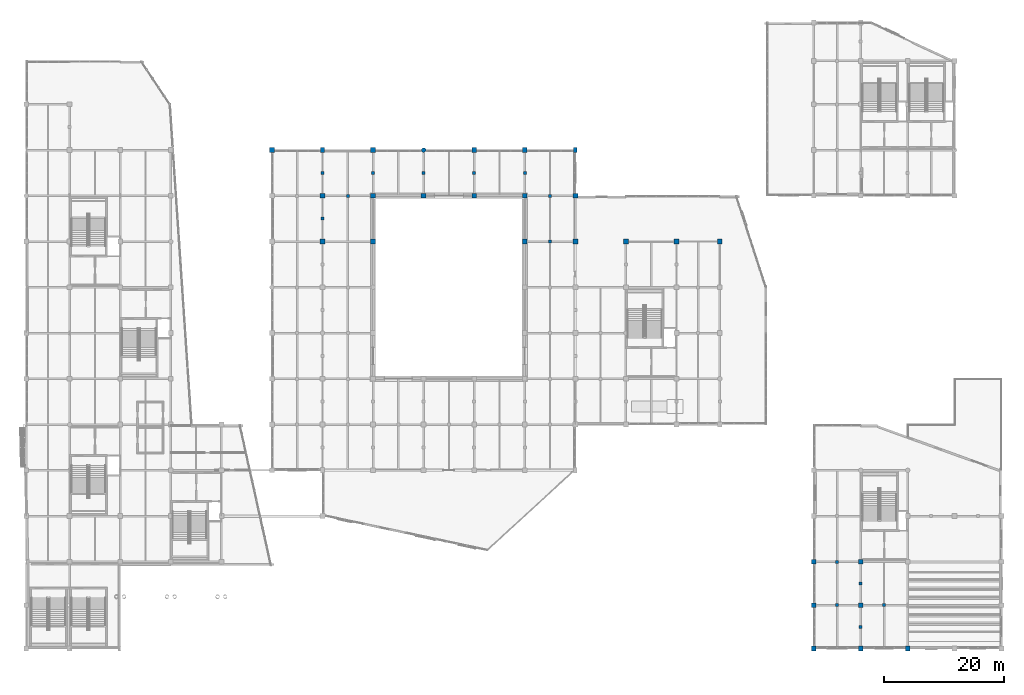
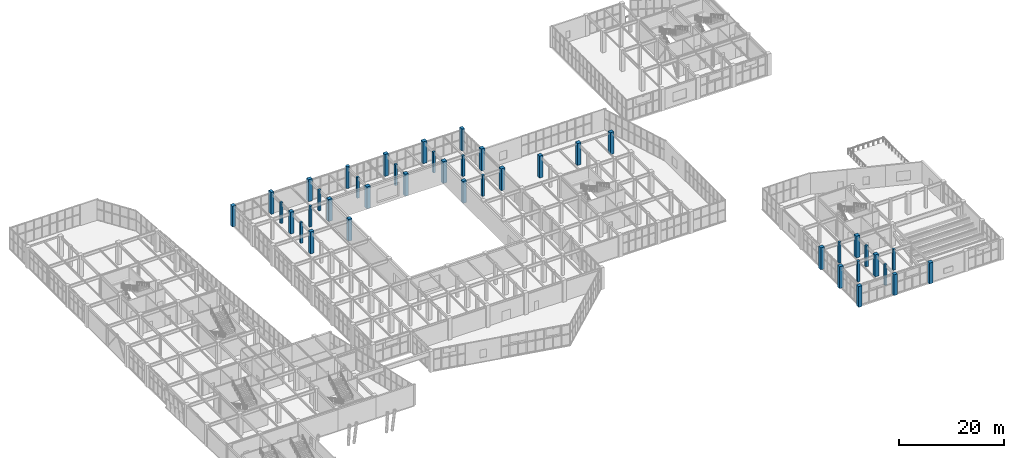
# One storey, part 6 of 128: 41 columns.
"""IFC4 building model written with IfcOpenShell, lengths in metres."""

from ifc_helpers import new_model, si_unit, direction, frame, origin, origin_2d, place, context, subcontext, project, spatial, rectangle, circle, extrude, material, material_profile, profile_set, type_object, element, save


model = new_model("IFC4")

# Units and contexts
model_context = context("Model", 3, precision=1e-05, world=origin(), true_north=direction((0.0, 1.0)))
body_context = subcontext(model_context, "Body", "Model", "MODEL_VIEW")
ifc_project = project(units=[si_unit("LENGTHUNIT", "METRE"), si_unit("AREAUNIT", "SQUARE_METRE"), si_unit("VOLUMEUNIT", "CUBIC_METRE"), si_unit("PLANEANGLEUNIT", "RADIAN"), si_unit("MASSUNIT", "GRAM", prefix="KILO")], contexts=[model_context])

# Site, building, storey
site_placement = place(None, origin())
site = spatial("IfcSite", under=ifc_project, at=site_placement, CompositionType="ELEMENT")
building_placement = place(site_placement, origin())
building = spatial("IfcBuilding", under=site, at=building_placement, Name="Xicomal Pleat Aquarium", CompositionType="ELEMENT")
storey_placement = place(building_placement, frame((0.0, 0.0, 5.39990234375)))
storey = spatial("IfcBuildingStorey", under=building, at=storey_placement, Name="L02", CompositionType="ELEMENT", Elevation=5.39990234375)

# Columns
ifc_material_1 = material(Name="Concrete C35/45", Category="concrete")
ifc_material_profile_1 = material_profile(ifc_material_1, rectangle(XDim=0.5, YDim=0.5, at=origin_2d()), Name="RC 500x500")
ifc_profile_set_1 = profile_set([ifc_material_profile_1], Name="Concrete C35/45")
column_type_1 = type_object("IfcColumnType", Name="COL-RC-500x500", PredefinedType="COLUMN", material=ifc_profile_set_1)
for number, where, z_axis, x_axis, name in (
    (1, (56.39990234375, 76.0, 0.0), (0.0, 0.0, 1.0), (1.0, 0.0, 0.0), "L02 intermediate support column SUB-10"),
    (2, (90.0, 68.39990234375, 0.0), (0.0, 0.0, 1.0), (1.0, 0.0, 0.0), "L02 intermediate support column SUB-18"),
    (3, (90.0, 76.0, 0.0), (0.0, 0.0, 1.0), (1.0, 0.0, 0.0), "L02 intermediate support column SUB-19"),
):
    element("IfcColumn", number, at=place(storey_placement, frame(where, z_axis=z_axis, x_axis=x_axis)), inside=storey, type_object=column_type_1, Name=name, PredefinedType="COLUMN", context=body_context, shape_type="SweptSolid", body=[
        extrude(rectangle(XDim=0.5, YDim=0.5, at=origin_2d()), origin(), (0.0, 0.0, 1.0), 4.820068359375),
    ])
for number, where, z_axis, x_axis, name in (
    (4, (137.699951171875, 8.0, 0.0), (0.0, 0.0, 1.0), (1.0, 0.0, 0.0), "L02 intermediate support column SUB-24"),
    (5, (137.699951171875, 15.199951171875, 0.0), (0.0, 0.0, 1.0), (1.0, 0.0, 0.0), "L02 intermediate support column SUB-25"),
    (6, (145.5, 8.0, 0.0), (0.0, 0.0, 1.0), (1.0, 0.0, 0.0), "L02 intermediate support column SUB-30"),
):
    element("IfcColumn", number, at=place(storey_placement, frame(where, z_axis=z_axis, x_axis=x_axis)), inside=storey, type_object=column_type_1, Name=name, PredefinedType="COLUMN", context=body_context, shape_type="SweptSolid", body=[
        extrude(rectangle(XDim=0.5, YDim=0.5, at=origin_2d()), origin(), (0.0, 0.0, 1.0), 4.840087890625),
    ])
for number, where, z_axis, x_axis, name in (
    (7, (52.199951171875, 72.199951171875, 0.0), (0.0, 0.0, 1.0), (1.0, 0.0, 0.0), "L02 intermediate support column SUB-39"),
    (8, (52.199951171875, 79.800048828125, 0.0), (0.0, 0.0, 1.0), (1.0, 0.0, 0.0), "L02 intermediate support column SUB-40"),
    (9, (60.60009765625, 79.800048828125, 0.0), (0.0, 0.0, 1.0), (1.0, 0.0, 0.0), "L02 intermediate support column SUB-43"),
    (10, (69.0, 79.800048828125, 0.0), (0.0, 0.0, 1.0), (1.0, 0.0, 0.0), "L02 intermediate support column SUB-46"),
    (11, (77.39990234375, 79.800048828125, 0.0), (0.0, 0.0, 1.0), (1.0, 0.0, 0.0), "L02 intermediate support column SUB-49"),
    (12, (85.800048828125, 79.800048828125, 0.0), (0.0, 0.0, 1.0), (1.0, 0.0, 0.0), "L02 intermediate support column SUB-52"),
):
    element("IfcColumn", number, at=place(storey_placement, frame(where, z_axis=z_axis, x_axis=x_axis)), inside=storey, type_object=column_type_1, Name=name, PredefinedType="COLUMN", context=body_context, shape_type="SweptSolid", body=[
        extrude(rectangle(XDim=0.5, YDim=0.5, at=origin_2d()), origin(), (0.0, 0.0, 1.0), 4.820068359375),
    ])
for number, where, z_axis, x_axis, name in (
    (13, (141.60009765625, 4.39990234375, 0.0), (0.0, 0.0, 1.0), (1.0, 0.0, 0.0), "L02 intermediate support column SUB-61"),
    (14, (141.60009765625, 11.60009765625, 0.0), (0.0, 0.0, 1.0), (1.0, 0.0, 0.0), "L02 intermediate support column SUB-62"),
):
    element("IfcColumn", number, at=place(storey_placement, frame(where, z_axis=z_axis, x_axis=x_axis)), inside=storey, type_object=column_type_1, Name=name, PredefinedType="COLUMN", context=body_context, shape_type="SweptSolid", body=[
        extrude(rectangle(XDim=0.5, YDim=0.5, at=origin_2d()), origin(), (0.0, 0.0, 1.0), 4.840087890625),
    ])
ifc_material_2 = material(Name="Concrete C40/50", Category="concrete")
ifc_material_profile_2 = material_profile(ifc_material_2, rectangle(XDim=0.60009765625, YDim=0.89990234375, at=origin_2d()), Name="RC 600x900")
ifc_profile_set_2 = profile_set([ifc_material_profile_2], Name="Concrete C40/50")
column_type_2 = type_object("IfcColumnType", Name="COL-RC-600x900", PredefinedType="COLUMN", material=ifc_profile_set_2)
for number, where, z_axis, x_axis, name in (
    (15, (52.199951171875, 83.60009765625, 0.0), (0.0, 0.0, 1.0), (1.0, 0.0, 0.0), "L02 column 07/M"),
    (16, (94.199951171875, 83.60009765625, 0.0), (0.0, 0.0, 1.0), (1.0, 0.0, 0.0), "L02 column 12/M"),
):
    element("IfcColumn", number, at=place(storey_placement, frame(where, z_axis=z_axis, x_axis=x_axis)), inside=storey, type_object=column_type_2, Name=name, PredefinedType="COLUMN", context=body_context, shape_type="SweptSolid", body=[
        extrude(rectangle(XDim=0.60009765625, YDim=0.89990234375, at=origin_2d()), origin(), (0.0, 0.0, 1.0), 5.10009765625),
    ])
ifc_material_3 = material(Name="Concrete C40/50", Category="concrete")
ifc_material_profile_3 = material_profile(ifc_material_3, rectangle(XDim=0.800048828125, YDim=0.800048828125, at=origin_2d()), Name="RC 800x800")
ifc_profile_set_3 = profile_set([ifc_material_profile_3], Name="Concrete C40/50")
column_type_3 = type_object("IfcColumnType", Name="COL-RC-800x800", PredefinedType="COLUMN", material=ifc_profile_set_3)
column_1_placement = place(storey_placement, frame((43.800048828125, 83.60009765625, 0.0), z_axis=(0.0, 0.0, 1.0), x_axis=(1.0, 0.0, 0.0)))
element("IfcColumn", 17, at=column_1_placement, inside=storey, type_object=column_type_3, Name="L02 column 06/M", PredefinedType="COLUMN", context=body_context, shape_type="SweptSolid", body=[
    extrude(rectangle(XDim=0.800048828125, YDim=0.800048828125, at=origin_2d()), origin(), (0.0, 0.0, 1.0), 4.820068359375),
])
for number, where, z_axis, x_axis, name in (
    (18, (52.199951171875, 68.39990234375, 0.0), (0.0, 0.0, 1.0), (1.0, 0.0, 0.0), "L02 column 07/K"),
    (19, (52.199951171875, 76.0, 0.0), (0.0, 0.0, 1.0), (1.0, 0.0, 0.0), "L02 column 07/L"),
    (20, (60.60009765625, 68.39990234375, 0.0), (0.0, 0.0, 1.0), (1.0, 0.0, 0.0), "L02 column 08/K"),
    (21, (60.60009765625, 76.0, 0.0), (0.0, 0.0, 1.0), (1.0, 0.0, 0.0), "L02 column 08/L"),
    (22, (60.60009765625, 83.60009765625, 0.0), (0.0, 0.0, 1.0), (1.0, 0.0, 0.0), "L02 column 08/M"),
    (23, (69.0, 76.0, 0.0), (0.0, 0.0, 1.0), (1.0, 0.0, 0.0), "L02 column 09/L"),
    (24, (77.39990234375, 76.0, 0.0), (0.0, 0.0, 1.0), (1.0, 0.0, 0.0), "L02 column 10/L"),
    (25, (77.39990234375, 83.60009765625, 0.0), (0.0, 0.0, 1.0), (1.0, 0.0, 0.0), "L02 column 10/M"),
    (26, (85.800048828125, 68.39990234375, 0.0), (0.0, 0.0, 1.0), (1.0, 0.0, 0.0), "L02 column 11/K"),
    (27, (85.800048828125, 76.0, 0.0), (0.0, 0.0, 1.0), (1.0, 0.0, 0.0), "L02 column 11/L"),
    (28, (85.800048828125, 83.60009765625, 0.0), (0.0, 0.0, 1.0), (1.0, 0.0, 0.0), "L02 column 11/M"),
    (29, (94.199951171875, 68.39990234375, 0.0), (0.0, 0.0, 1.0), (1.0, 0.0, 0.0), "L02 column 12/K"),
    (30, (94.199951171875, 76.0, 0.0), (0.0, 0.0, 1.0), (1.0, 0.0, 0.0), "L02 column 12/L"),
    (31, (102.60009765625, 68.39990234375, 0.0), (0.0, 0.0, 1.0), (1.0, 0.0, 0.0), "L02 column 13/K"),
    (32, (111.0, 68.39990234375, 0.0), (0.0, 0.0, 1.0), (1.0, 0.0, 0.0), "L02 column 14/K"),
    (33, (118.199951171875, 68.39990234375, 0.0), (0.0, 0.0, 1.0), (1.0, 0.0, 0.0), "L02 column 15/K"),
):
    element("IfcColumn", number, at=place(storey_placement, frame(where, z_axis=z_axis, x_axis=x_axis)), inside=storey, type_object=column_type_3, Name=name, PredefinedType="COLUMN", context=body_context, shape_type="SweptSolid", body=[
        extrude(rectangle(XDim=0.800048828125, YDim=0.800048828125, at=origin_2d()), origin(), (0.0, 0.0, 1.0), 5.10009765625),
    ])
column_2_placement = place(storey_placement, frame((133.800048828125, 0.800048828125, 0.0), z_axis=(0.0, 0.0, 1.0), x_axis=(1.0, 0.0, 0.0)))
element("IfcColumn", 34, at=column_2_placement, inside=storey, type_object=column_type_3, Name="L02 column 17/A", PredefinedType="COLUMN", context=body_context, shape_type="SweptSolid", body=[
    extrude(rectangle(XDim=0.800048828125, YDim=0.800048828125, at=origin_2d()), origin(), (0.0, 0.0, 1.0), 4.840087890625),
])
for number, where, z_axis, x_axis, name in (
    (35, (133.800048828125, 8.0, 0.0), (0.0, 0.0, 1.0), (1.0, 0.0, 0.0), "L02 column 17/B"),
    (36, (133.800048828125, 15.199951171875, 0.0), (0.0, 0.0, 1.0), (1.0, 0.0, 0.0), "L02 column 17/C"),
):
    element("IfcColumn", number, at=place(storey_placement, frame(where, z_axis=z_axis, x_axis=x_axis)), inside=storey, type_object=column_type_3, Name=name, PredefinedType="COLUMN", context=body_context, shape_type="SweptSolid", body=[
        extrude(rectangle(XDim=0.800048828125, YDim=0.800048828125, at=origin_2d()), origin(), (0.0, 0.0, 1.0), 5.10009765625),
    ])
column_3_placement = place(storey_placement, frame((141.60009765625, 0.800048828125, 0.0), z_axis=(0.0, 0.0, 1.0), x_axis=(1.0, 0.0, 0.0)))
element("IfcColumn", 37, at=column_3_placement, inside=storey, type_object=column_type_3, Name="L02 column 18/A", PredefinedType="COLUMN", context=body_context, shape_type="SweptSolid", body=[
    extrude(rectangle(XDim=0.800048828125, YDim=0.800048828125, at=origin_2d()), origin(), (0.0, 0.0, 1.0), 4.840087890625),
])
for number, where, z_axis, x_axis, name in (
    (38, (141.60009765625, 8.0, 0.0), (0.0, 0.0, 1.0), (1.0, 0.0, 0.0), "L02 column 18/B"),
    (39, (141.60009765625, 15.199951171875, 0.0), (0.0, 0.0, 1.0), (1.0, 0.0, 0.0), "L02 column 18/C"),
):
    element("IfcColumn", number, at=place(storey_placement, frame(where, z_axis=z_axis, x_axis=x_axis)), inside=storey, type_object=column_type_3, Name=name, PredefinedType="COLUMN", context=body_context, shape_type="SweptSolid", body=[
        extrude(rectangle(XDim=0.800048828125, YDim=0.800048828125, at=origin_2d()), origin(), (0.0, 0.0, 1.0), 5.10009765625),
    ])
column_4_placement = place(storey_placement, frame((149.39990234375, 0.800048828125, 0.0), z_axis=(0.0, 0.0, 1.0), x_axis=(1.0, 0.0, 0.0)))
element("IfcColumn", 40, at=column_4_placement, inside=storey, type_object=column_type_3, Name="L02 column 19/A", PredefinedType="COLUMN", context=body_context, shape_type="SweptSolid", body=[
    extrude(rectangle(XDim=0.800048828125, YDim=0.800048828125, at=origin_2d()), origin(), (0.0, 0.0, 1.0), 4.840087890625),
])
ifc_material_4 = material(Name="Concrete C40/50", Category="concrete")
ifc_material_profile_4 = material_profile(ifc_material_4, circle(Radius=0.375, at=origin_2d()), Name="RCC D750")
ifc_profile_set_4 = profile_set([ifc_material_profile_4], Name="Concrete C40/50")
column_type_4 = type_object("IfcColumnType", Name="COL-RCC-D750", PredefinedType="COLUMN", material=ifc_profile_set_4)
column_5_placement = place(storey_placement, frame((69.0, 83.60009765625, 0.0), z_axis=(0.0, 0.0, 1.0), x_axis=(1.0, 0.0, 0.0)))
element("IfcColumn", 41, at=column_5_placement, inside=storey, type_object=column_type_4, Name="L02 column 09/M", PredefinedType="COLUMN", context=body_context, shape_type="SweptSolid", body=[
    extrude(circle(Radius=0.375, at=origin_2d()), origin(), (0.0, 0.0, 1.0), 5.10009765625),
])

save(model, "model.ifc")
